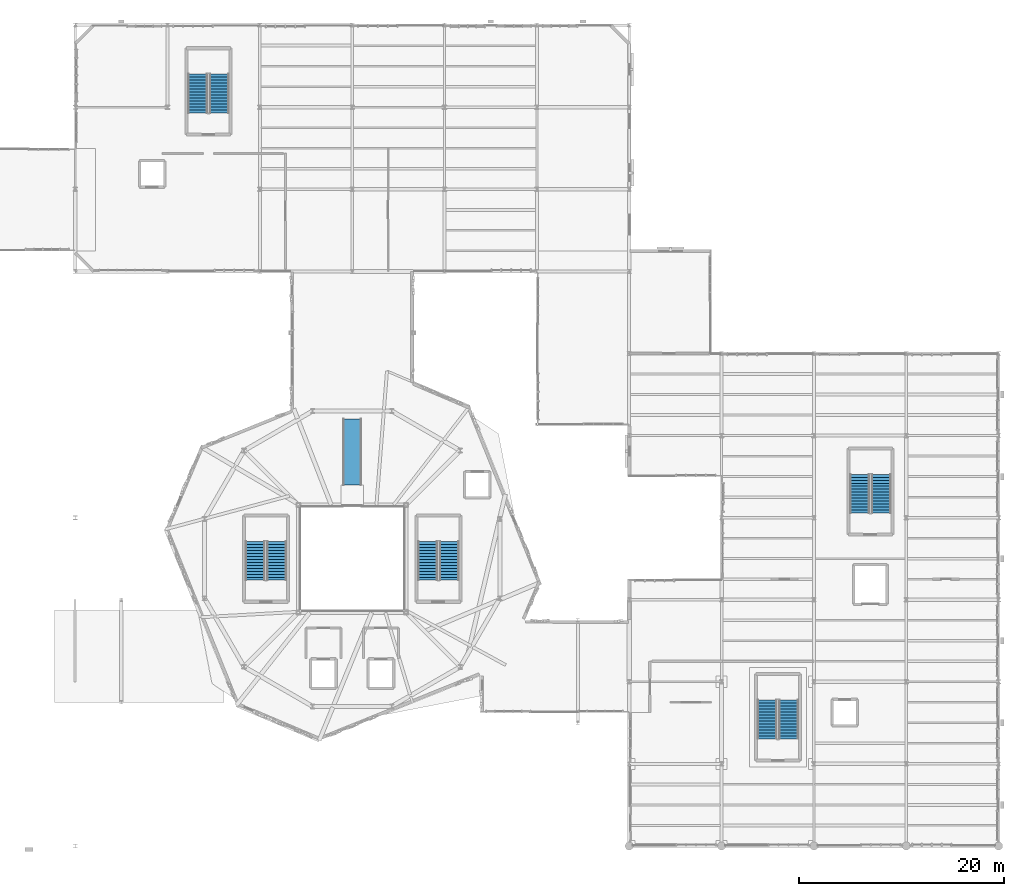
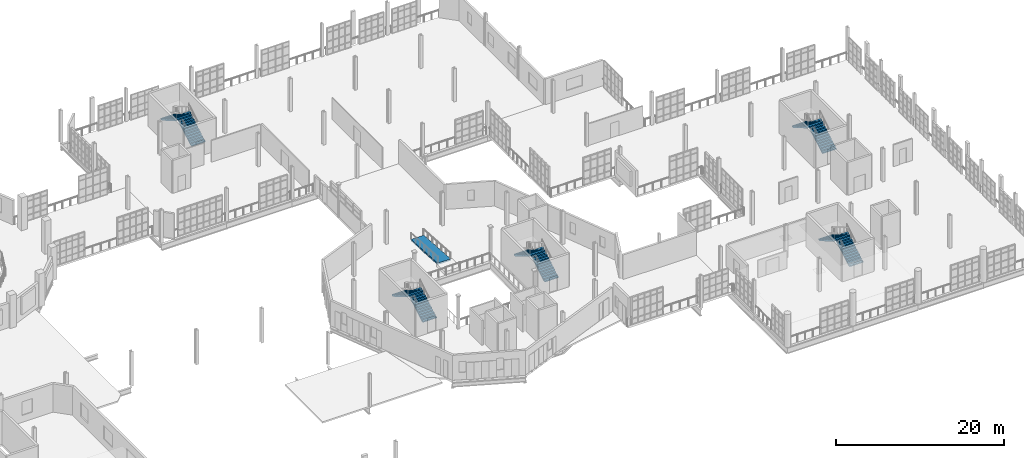
# One storey, part 104 of 122: 10 stair flights, 1 ramp flight, 6 elements without a shape of their own.
"""IFC4 building model written with IfcOpenShell, lengths in metres."""

from ifc_helpers import new_model, si_unit, direction, frame, origin, place, context, subcontext, project, spatial, polyline, outline, extrude, material, layer, layer_set, type_object, element, aggregate, save


model = new_model("IFC4")

# Units and contexts
model_context = context("Model", 3, precision=1e-05, world=origin(), true_north=direction((0.0, 1.0)))
body_context = subcontext(model_context, "Body", "Model", "MODEL_VIEW")
ifc_project = project(units=[si_unit("LENGTHUNIT", "METRE"), si_unit("AREAUNIT", "SQUARE_METRE"), si_unit("VOLUMEUNIT", "CUBIC_METRE"), si_unit("PLANEANGLEUNIT", "RADIAN"), si_unit("MASSUNIT", "GRAM", prefix="KILO"), si_unit("THERMODYNAMICTEMPERATUREUNIT", "KELVIN"), si_unit("POWERUNIT", "WATT")], contexts=[model_context])

# Site, building, storey
site_placement = place(None, origin())
site = spatial("IfcSite", under=ifc_project, at=site_placement, CompositionType="ELEMENT")
building_placement = place(site_placement, origin())
building = spatial("IfcBuilding", under=site, at=building_placement, Name="Zelmaris Science Centre", CompositionType="ELEMENT")
storey_placement = place(building_placement, frame((0.0, 0.0, 10.800048828125)))
storey = spatial("IfcBuildingStorey", under=building, at=storey_placement, Name="L02", CompositionType="ELEMENT", Elevation=10.800048828125)

# Stair, stair flights
ifc_material = material(Name="Concrete C40/50", Category="concrete")
stair_type = type_object("IfcStairType", Name="Exit Stair ST-B W1900", PredefinedType="HALF_TURN_STAIR", material=ifc_material)
stair_1_placement = place(storey_placement, origin())
stair_1 = element("IfcStair", 1, at=stair_1_placement, inside=storey, type_object=stair_type, Name="L02 Exit Stair Core ST-1", PredefinedType="HALF_TURN_STAIR")
stair_flight_type = type_object("IfcStairFlightType", Name="Stair Flight ST-BF W1900", PredefinedType="STRAIGHT", material=ifc_material)
stair_flight_1_placement = place(storey_placement, frame((73.64990234375, 33.89990234375, 0.0), z_axis=(0.0, 0.0, 1.0), x_axis=(0.0, 1.0, 0.0)))
stair_flight_1 = element("IfcStairFlight", 2, at=stair_flight_1_placement, type_object=stair_flight_type, Name="ST-1 flight 1", NumberOfRisers=14, NumberOfTreads=13, PredefinedType="STRAIGHT", RiserHeight=0.171428571, TreadLength=0.29, context=body_context, shape_type="SweptSolid", body=[
    extrude(outline(polyline([(0.0, 0.0), (0.0, 0.17138671875), (0.2900390625, 0.17138671875), (0.2900390625, 0.3427734375), (0.580078125, 0.3427734375), (0.580078125, 0.514404296875), (0.8701171875, 0.514404296875), (0.8701171875, 0.685791015625), (1.159912109375, 0.685791015625), (1.159912109375, 0.857177734375), (1.449951171875, 0.857177734375), (1.449951171875, 1.028564453125), (1.739990234375, 1.028564453125), (1.739990234375, 1.199951171875), (2.030029296875, 1.199951171875), (2.030029296875, 1.371337890625), (2.320068359375, 1.371337890625), (2.320068359375, 1.54296875), (2.610107421875, 1.54296875), (2.610107421875, 1.71435546875), (2.89990234375, 1.71435546875), (2.89990234375, 1.8857421875), (3.18994140625, 1.8857421875), (3.18994140625, 2.05712890625), (3.47998046875, 2.05712890625), (3.47998046875, 2.228515625), (3.77001953125, 2.228515625), (3.77001953125, 2.39990234375), (3.77001953125, 2.054443359375), (0.294677734375, 0.0), (0.0, 0.0)])), frame((0.0, 0.949951171875, 0.0), z_axis=(0.0, -1.0, 0.0), x_axis=(1.0, 0.0, 0.0)), (0.0, 0.0, 1.0), 1.89990234375),
])
stair_flight_2_placement = place(storey_placement, frame((71.550048828125, 37.669921875, 2.39990234375), z_axis=(0.0, 0.0, 1.0), x_axis=(0.0, -1.0, 0.0)))
stair_flight_2 = element("IfcStairFlight", 3, at=stair_flight_2_placement, type_object=stair_flight_type, Name="ST-1 flight 2", NumberOfRisers=14, NumberOfTreads=13, PredefinedType="STRAIGHT", RiserHeight=0.171428571, TreadLength=0.29, context=body_context, shape_type="SweptSolid", body=[
    extrude(outline(polyline([(0.0, 0.0), (0.0, 0.17138671875), (0.2900390625, 0.17138671875), (0.2900390625, 0.3427734375), (0.580078125, 0.3427734375), (0.580078125, 0.514404296875), (0.8701171875, 0.514404296875), (0.8701171875, 0.685791015625), (1.159912109375, 0.685791015625), (1.159912109375, 0.857177734375), (1.449951171875, 0.857177734375), (1.449951171875, 1.028564453125), (1.739990234375, 1.028564453125), (1.739990234375, 1.199951171875), (2.030029296875, 1.199951171875), (2.030029296875, 1.371337890625), (2.320068359375, 1.371337890625), (2.320068359375, 1.54296875), (2.610107421875, 1.54296875), (2.610107421875, 1.71435546875), (2.89990234375, 1.71435546875), (2.89990234375, 1.8857421875), (3.18994140625, 1.8857421875), (3.18994140625, 2.05712890625), (3.47998046875, 2.05712890625), (3.47998046875, 2.228515625), (3.77001953125, 2.228515625), (3.77001953125, 2.39990234375), (3.77001953125, 2.054443359375), (0.294677734375, 0.0), (0.0, 0.0)])), frame((0.0, 0.949951171875, 0.0), z_axis=(0.0, -1.0, 0.0), x_axis=(1.0, 0.0, 0.0)), (0.0, 0.0, 1.0), 1.89990234375),
])
aggregate(stair_1, [stair_flight_1, stair_flight_2])

stair_2_placement = place(storey_placement, origin())
stair_2 = element("IfcStair", 4, at=stair_2_placement, inside=storey, type_object=stair_type, Name="L02 Exit Stair Core ST-2", PredefinedType="HALF_TURN_STAIR")
stair_flight_3_placement = place(storey_placement, frame((90.449951171875, 33.89990234375, 0.0), z_axis=(0.0, 0.0, 1.0), x_axis=(0.0, 1.0, 0.0)))
stair_flight_3 = element("IfcStairFlight", 5, at=stair_flight_3_placement, type_object=stair_flight_type, Name="ST-2 flight 1", NumberOfRisers=14, NumberOfTreads=13, PredefinedType="STRAIGHT", RiserHeight=0.171428571, TreadLength=0.29, context=body_context, shape_type="SweptSolid", body=[
    extrude(outline(polyline([(0.0, 0.0), (0.0, 0.17138671875), (0.2900390625, 0.17138671875), (0.2900390625, 0.3427734375), (0.580078125, 0.3427734375), (0.580078125, 0.514404296875), (0.8701171875, 0.514404296875), (0.8701171875, 0.685791015625), (1.159912109375, 0.685791015625), (1.159912109375, 0.857177734375), (1.449951171875, 0.857177734375), (1.449951171875, 1.028564453125), (1.739990234375, 1.028564453125), (1.739990234375, 1.199951171875), (2.030029296875, 1.199951171875), (2.030029296875, 1.371337890625), (2.320068359375, 1.371337890625), (2.320068359375, 1.54296875), (2.610107421875, 1.54296875), (2.610107421875, 1.71435546875), (2.89990234375, 1.71435546875), (2.89990234375, 1.8857421875), (3.18994140625, 1.8857421875), (3.18994140625, 2.05712890625), (3.47998046875, 2.05712890625), (3.47998046875, 2.228515625), (3.77001953125, 2.228515625), (3.77001953125, 2.39990234375), (3.77001953125, 2.054443359375), (0.294677734375, 0.0), (0.0, 0.0)])), frame((0.0, 0.949951171875, 0.0), z_axis=(0.0, -1.0, 0.0), x_axis=(1.0, 0.0, 0.0)), (0.0, 0.0, 1.0), 1.89990234375),
])
stair_flight_4_placement = place(storey_placement, frame((88.35009765625, 37.669921875, 2.39990234375), z_axis=(0.0, 0.0, 1.0), x_axis=(0.0, -1.0, 0.0)))
stair_flight_4 = element("IfcStairFlight", 6, at=stair_flight_4_placement, type_object=stair_flight_type, Name="ST-2 flight 2", NumberOfRisers=14, NumberOfTreads=13, PredefinedType="STRAIGHT", RiserHeight=0.171428571, TreadLength=0.29, context=body_context, shape_type="SweptSolid", body=[
    extrude(outline(polyline([(0.0, 0.0), (0.0, 0.17138671875), (0.2900390625, 0.17138671875), (0.2900390625, 0.3427734375), (0.580078125, 0.3427734375), (0.580078125, 0.514404296875), (0.8701171875, 0.514404296875), (0.8701171875, 0.685791015625), (1.159912109375, 0.685791015625), (1.159912109375, 0.857177734375), (1.449951171875, 0.857177734375), (1.449951171875, 1.028564453125), (1.739990234375, 1.028564453125), (1.739990234375, 1.199951171875), (2.030029296875, 1.199951171875), (2.030029296875, 1.371337890625), (2.320068359375, 1.371337890625), (2.320068359375, 1.54296875), (2.610107421875, 1.54296875), (2.610107421875, 1.71435546875), (2.89990234375, 1.71435546875), (2.89990234375, 1.8857421875), (3.18994140625, 1.8857421875), (3.18994140625, 2.05712890625), (3.47998046875, 2.05712890625), (3.47998046875, 2.228515625), (3.77001953125, 2.228515625), (3.77001953125, 2.39990234375), (3.77001953125, 2.054443359375), (0.294677734375, 0.0), (0.0, 0.0)])), frame((0.0, 0.949951171875, 0.0), z_axis=(0.0, -1.0, 0.0), x_axis=(1.0, 0.0, 0.0)), (0.0, 0.0, 1.0), 1.89990234375),
])
aggregate(stair_2, [stair_flight_3, stair_flight_4])

stair_3_placement = place(storey_placement, origin())
stair_3 = element("IfcStair", 7, at=stair_3_placement, inside=storey, type_object=stair_type, Name="L02 Exit Stair Core ST-3", PredefinedType="HALF_TURN_STAIR")
stair_flight_5_placement = place(storey_placement, frame((68.050048828125, 79.449951171875, 0.0), z_axis=(0.0, 0.0, 1.0), x_axis=(0.0, 1.0, 0.0)))
stair_flight_5 = element("IfcStairFlight", 8, at=stair_flight_5_placement, type_object=stair_flight_type, Name="ST-3 flight 1", NumberOfRisers=14, NumberOfTreads=13, PredefinedType="STRAIGHT", RiserHeight=0.171428571, TreadLength=0.29, context=body_context, shape_type="SweptSolid", body=[
    extrude(outline(polyline([(0.0, 0.0), (0.0, 0.17138671875), (0.2900390625, 0.17138671875), (0.2900390625, 0.3427734375), (0.580078125, 0.3427734375), (0.580078125, 0.514404296875), (0.8701171875, 0.514404296875), (0.8701171875, 0.685791015625), (1.159912109375, 0.685791015625), (1.159912109375, 0.857177734375), (1.449951171875, 0.857177734375), (1.449951171875, 1.028564453125), (1.739990234375, 1.028564453125), (1.739990234375, 1.199951171875), (2.030029296875, 1.199951171875), (2.030029296875, 1.371337890625), (2.320068359375, 1.371337890625), (2.320068359375, 1.54296875), (2.610107421875, 1.54296875), (2.610107421875, 1.71435546875), (2.89990234375, 1.71435546875), (2.89990234375, 1.8857421875), (3.18994140625, 1.8857421875), (3.18994140625, 2.05712890625), (3.47998046875, 2.05712890625), (3.47998046875, 2.228515625), (3.77001953125, 2.228515625), (3.77001953125, 2.39990234375), (3.77001953125, 2.054443359375), (0.294677734375, 0.0), (0.0, 0.0)])), frame((0.0, 0.949951171875, 0.0), z_axis=(0.0, -1.0, 0.0), x_axis=(1.0, 0.0, 0.0)), (0.0, 0.0, 1.0), 1.89990234375),
])
stair_flight_6_placement = place(storey_placement, frame((65.949951171875, 83.219970703125, 2.39990234375), z_axis=(0.0, 0.0, 1.0), x_axis=(0.0, -1.0, 0.0)))
stair_flight_6 = element("IfcStairFlight", 9, at=stair_flight_6_placement, type_object=stair_flight_type, Name="ST-3 flight 2", NumberOfRisers=14, NumberOfTreads=13, PredefinedType="STRAIGHT", RiserHeight=0.171428571, TreadLength=0.29, context=body_context, shape_type="SweptSolid", body=[
    extrude(outline(polyline([(0.0, 0.0), (0.0, 0.17138671875), (0.2900390625, 0.17138671875), (0.2900390625, 0.3427734375), (0.580078125, 0.3427734375), (0.580078125, 0.514404296875), (0.8701171875, 0.514404296875), (0.8701171875, 0.685791015625), (1.159912109375, 0.685791015625), (1.159912109375, 0.857177734375), (1.449951171875, 0.857177734375), (1.449951171875, 1.028564453125), (1.739990234375, 1.028564453125), (1.739990234375, 1.199951171875), (2.030029296875, 1.199951171875), (2.030029296875, 1.371337890625), (2.320068359375, 1.371337890625), (2.320068359375, 1.54296875), (2.610107421875, 1.54296875), (2.610107421875, 1.71435546875), (2.89990234375, 1.71435546875), (2.89990234375, 1.8857421875), (3.18994140625, 1.8857421875), (3.18994140625, 2.05712890625), (3.47998046875, 2.05712890625), (3.47998046875, 2.228515625), (3.77001953125, 2.228515625), (3.77001953125, 2.39990234375), (3.77001953125, 2.054443359375), (0.294677734375, 0.0), (0.0, 0.0)])), frame((0.0, 0.949951171875, 0.0), z_axis=(0.0, -1.0, 0.0), x_axis=(1.0, 0.0, 0.0)), (0.0, 0.0, 1.0), 1.89990234375),
])
aggregate(stair_3, [stair_flight_5, stair_flight_6])

stair_4_placement = place(storey_placement, origin())
stair_4 = element("IfcStair", 10, at=stair_4_placement, inside=storey, type_object=stair_type, Name="L02 Exit Stair Core ST-4", PredefinedType="HALF_TURN_STAIR")
stair_flight_7_placement = place(storey_placement, frame((123.550048828125, 18.449951171875, 0.0), z_axis=(0.0, 0.0, 1.0), x_axis=(0.0, 1.0, 0.0)))
stair_flight_7 = element("IfcStairFlight", 11, at=stair_flight_7_placement, type_object=stair_flight_type, Name="ST-4 flight 1", NumberOfRisers=14, NumberOfTreads=13, PredefinedType="STRAIGHT", RiserHeight=0.171428571, TreadLength=0.29, context=body_context, shape_type="SweptSolid", body=[
    extrude(outline(polyline([(0.0, 0.0), (0.0, 0.17138671875), (0.2900390625, 0.17138671875), (0.2900390625, 0.3427734375), (0.580078125, 0.3427734375), (0.580078125, 0.514404296875), (0.8701171875, 0.514404296875), (0.8701171875, 0.685791015625), (1.159912109375, 0.685791015625), (1.159912109375, 0.857177734375), (1.449951171875, 0.857177734375), (1.449951171875, 1.028564453125), (1.739990234375, 1.028564453125), (1.739990234375, 1.199951171875), (2.030029296875, 1.199951171875), (2.030029296875, 1.371337890625), (2.320068359375, 1.371337890625), (2.320068359375, 1.54296875), (2.610107421875, 1.54296875), (2.610107421875, 1.71435546875), (2.89990234375, 1.71435546875), (2.89990234375, 1.8857421875), (3.18994140625, 1.8857421875), (3.18994140625, 2.05712890625), (3.47998046875, 2.05712890625), (3.47998046875, 2.228515625), (3.77001953125, 2.228515625), (3.77001953125, 2.39990234375), (3.77001953125, 2.054443359375), (0.294677734375, 0.0), (0.0, 0.0)])), frame((0.0, 0.949951171875, 0.0), z_axis=(0.0, -1.0, 0.0), x_axis=(1.0, 0.0, 0.0)), (0.0, 0.0, 1.0), 1.89990234375),
])
stair_flight_8_placement = place(storey_placement, frame((121.449951171875, 22.219970703125, 2.39990234375), z_axis=(0.0, 0.0, 1.0), x_axis=(0.0, -1.0, 0.0)))
stair_flight_8 = element("IfcStairFlight", 12, at=stair_flight_8_placement, type_object=stair_flight_type, Name="ST-4 flight 2", NumberOfRisers=14, NumberOfTreads=13, PredefinedType="STRAIGHT", RiserHeight=0.171428571, TreadLength=0.29, context=body_context, shape_type="SweptSolid", body=[
    extrude(outline(polyline([(0.0, 0.0), (0.0, 0.17138671875), (0.2900390625, 0.17138671875), (0.2900390625, 0.3427734375), (0.580078125, 0.3427734375), (0.580078125, 0.514404296875), (0.8701171875, 0.514404296875), (0.8701171875, 0.685791015625), (1.159912109375, 0.685791015625), (1.159912109375, 0.857177734375), (1.449951171875, 0.857177734375), (1.449951171875, 1.028564453125), (1.739990234375, 1.028564453125), (1.739990234375, 1.199951171875), (2.030029296875, 1.199951171875), (2.030029296875, 1.371337890625), (2.320068359375, 1.371337890625), (2.320068359375, 1.54296875), (2.610107421875, 1.54296875), (2.610107421875, 1.71435546875), (2.89990234375, 1.71435546875), (2.89990234375, 1.8857421875), (3.18994140625, 1.8857421875), (3.18994140625, 2.05712890625), (3.47998046875, 2.05712890625), (3.47998046875, 2.228515625), (3.77001953125, 2.228515625), (3.77001953125, 2.39990234375), (3.77001953125, 2.054443359375), (0.294677734375, 0.0), (0.0, 0.0)])), frame((0.0, 0.949951171875, 0.0), z_axis=(0.0, -1.0, 0.0), x_axis=(1.0, 0.0, 0.0)), (0.0, 0.0, 1.0), 1.89990234375),
])
aggregate(stair_4, [stair_flight_7, stair_flight_8])

stair_5_placement = place(storey_placement, origin())
stair_5 = element("IfcStair", 13, at=stair_5_placement, inside=storey, type_object=stair_type, Name="L02 Exit Stair Core ST-5", PredefinedType="HALF_TURN_STAIR")
stair_flight_9_placement = place(storey_placement, frame((132.550048828125, 40.449951171875, 0.0), z_axis=(0.0, 0.0, 1.0), x_axis=(0.0, 1.0, 0.0)))
stair_flight_9 = element("IfcStairFlight", 14, at=stair_flight_9_placement, type_object=stair_flight_type, Name="ST-5 flight 1", NumberOfRisers=14, NumberOfTreads=13, PredefinedType="STRAIGHT", RiserHeight=0.171428571, TreadLength=0.29, context=body_context, shape_type="SweptSolid", body=[
    extrude(outline(polyline([(0.0, 0.0), (0.0, 0.17138671875), (0.2900390625, 0.17138671875), (0.2900390625, 0.3427734375), (0.580078125, 0.3427734375), (0.580078125, 0.514404296875), (0.8701171875, 0.514404296875), (0.8701171875, 0.685791015625), (1.159912109375, 0.685791015625), (1.159912109375, 0.857177734375), (1.449951171875, 0.857177734375), (1.449951171875, 1.028564453125), (1.739990234375, 1.028564453125), (1.739990234375, 1.199951171875), (2.030029296875, 1.199951171875), (2.030029296875, 1.371337890625), (2.320068359375, 1.371337890625), (2.320068359375, 1.54296875), (2.610107421875, 1.54296875), (2.610107421875, 1.71435546875), (2.89990234375, 1.71435546875), (2.89990234375, 1.8857421875), (3.18994140625, 1.8857421875), (3.18994140625, 2.05712890625), (3.47998046875, 2.05712890625), (3.47998046875, 2.228515625), (3.77001953125, 2.228515625), (3.77001953125, 2.39990234375), (3.77001953125, 2.054443359375), (0.294677734375, 0.0), (0.0, 0.0)])), frame((0.0, 0.949951171875, 0.0), z_axis=(0.0, -1.0, 0.0), x_axis=(1.0, 0.0, 0.0)), (0.0, 0.0, 1.0), 1.89990234375),
])
stair_flight_10_placement = place(storey_placement, frame((130.449951171875, 44.219970703125, 2.39990234375), z_axis=(0.0, 0.0, 1.0), x_axis=(0.0, -1.0, 0.0)))
stair_flight_10 = element("IfcStairFlight", 15, at=stair_flight_10_placement, type_object=stair_flight_type, Name="ST-5 flight 2", NumberOfRisers=14, NumberOfTreads=13, PredefinedType="STRAIGHT", RiserHeight=0.171428571, TreadLength=0.29, context=body_context, shape_type="SweptSolid", body=[
    extrude(outline(polyline([(0.0, 0.0), (0.0, 0.17138671875), (0.2900390625, 0.17138671875), (0.2900390625, 0.3427734375), (0.580078125, 0.3427734375), (0.580078125, 0.514404296875), (0.8701171875, 0.514404296875), (0.8701171875, 0.685791015625), (1.159912109375, 0.685791015625), (1.159912109375, 0.857177734375), (1.449951171875, 0.857177734375), (1.449951171875, 1.028564453125), (1.739990234375, 1.028564453125), (1.739990234375, 1.199951171875), (2.030029296875, 1.199951171875), (2.030029296875, 1.371337890625), (2.320068359375, 1.371337890625), (2.320068359375, 1.54296875), (2.610107421875, 1.54296875), (2.610107421875, 1.71435546875), (2.89990234375, 1.71435546875), (2.89990234375, 1.8857421875), (3.18994140625, 1.8857421875), (3.18994140625, 2.05712890625), (3.47998046875, 2.05712890625), (3.47998046875, 2.228515625), (3.77001953125, 2.228515625), (3.77001953125, 2.39990234375), (3.77001953125, 2.054443359375), (0.294677734375, 0.0), (0.0, 0.0)])), frame((0.0, 0.949951171875, 0.0), z_axis=(0.0, -1.0, 0.0), x_axis=(1.0, 0.0, 0.0)), (0.0, 0.0, 1.0), 1.89990234375),
])
aggregate(stair_5, [stair_flight_9, stair_flight_10])

# Ramp, ramp flight
ramp_type = type_object("IfcRampType", Name="Accessible Ramp RMP-01 W1800", PredefinedType="STRAIGHT_RUN_RAMP", material=ifc_material)
ramp_placement = place(storey_placement, origin())
ramp = element("IfcRamp", 16, at=ramp_placement, inside=storey, type_object=ramp_type, Name="L02 Atrium overlook ramp", PredefinedType="STRAIGHT_RUN_RAMP")
ifc_layer = layer(ifc_material, 0.219970703125, Name="Concrete C40/50")
ifc_layer_set = layer_set([ifc_layer], Name="Concrete C40/50")
ramp_flight_type = type_object("IfcRampFlightType", Name="Ramp Flight RMF-01 W1800", PredefinedType="STRAIGHT", material=ifc_layer_set)
ramp_flight_placement = place(storey_placement, frame((81.0, 49.60009765625, 0.0), z_axis=(0.0, 0.0, 1.0), x_axis=(0.0, -1.0, 0.0)))
ramp_flight = element("IfcRampFlight", 17, at=ramp_flight_placement, type_object=ramp_flight_type, Name="L02 Atrium overlook ramp flight", PredefinedType="STRAIGHT", context=body_context, shape_type="SweptSolid", body=[
    extrude(outline(polyline([(0.0, 0.0), (6.39990234375, 0.419921875), (6.39990234375, 0.199951171875), (0.0, -0.219970703125), (0.0, 0.0)])), frame((0.0, 0.89990234375, 0.0), z_axis=(0.0, -1.0, 0.0), x_axis=(1.0, 0.0, 0.0)), (0.0, 0.0, 1.0), 1.800048828125),
])
aggregate(ramp, [ramp_flight])

save(model, "model.ifc")
